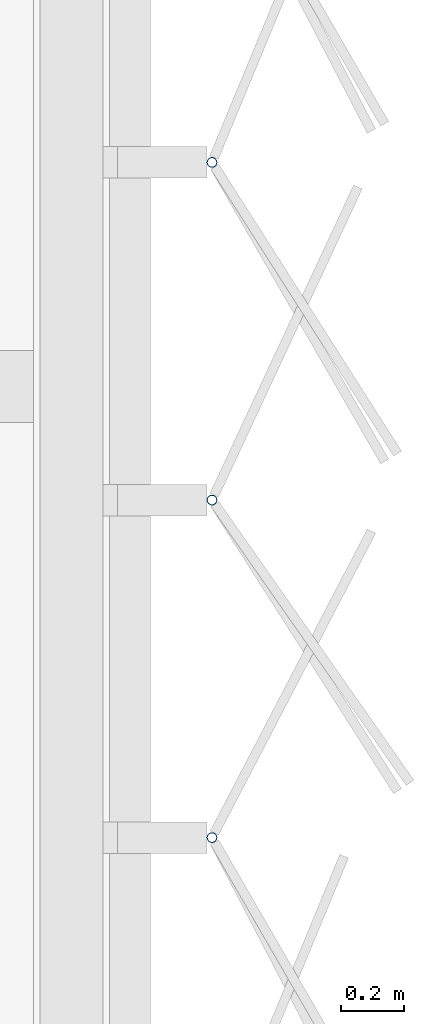
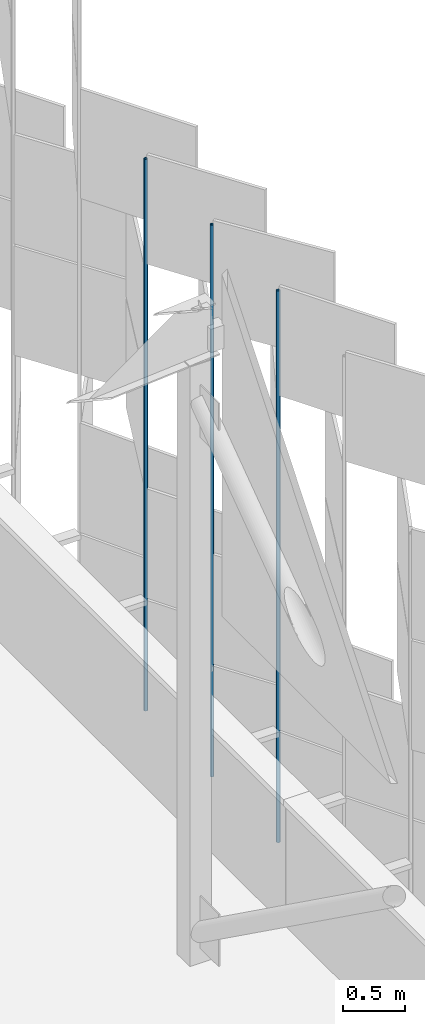
# One storey, part 270 of 483: 3 discrete accessories.
"""IFC4 building model written with IfcOpenShell, lengths in metres."""

from ifc_helpers import new_model, si_unit, direction, frame, origin, origin_2d, place, context, subcontext, project, spatial, hollow_circle, extrude, material, material_profile, profile_set, type_object, element, save


model = new_model("IFC4")

# Units and contexts
model_context = context("Model", 3, precision=1e-05, world=origin(), true_north=direction((0.0, 1.0)))
body_context = subcontext(model_context, "Body", "Model", "MODEL_VIEW")
ifc_project = project(units=[si_unit("LENGTHUNIT", "METRE"), si_unit("AREAUNIT", "SQUARE_METRE"), si_unit("VOLUMEUNIT", "CUBIC_METRE"), si_unit("PLANEANGLEUNIT", "RADIAN"), si_unit("MASSUNIT", "GRAM", prefix="KILO")], contexts=[model_context])

# Site, building, storey
site_placement = place(None, origin())
site = spatial("IfcSite", under=ifc_project, at=site_placement, CompositionType="ELEMENT")
building_placement = place(site_placement, origin())
building = spatial("IfcBuilding", under=site, at=building_placement, Name="Parallax Yard Mobility Hub", CompositionType="ELEMENT")
storey_placement = place(building_placement, frame((0.0, 0.0, 13.199951171875)))
storey = spatial("IfcBuildingStorey", under=building, at=storey_placement, Name="L04", CompositionType="ELEMENT", Elevation=13.199951171875)

# Discrete accessories
ifc_material = material(Name="Steel ASTM A500 Gr C, hot-dip galvanised", Category="steel")
ifc_material_profile = material_profile(ifc_material, hollow_circle(Radius=0.016845703125, WallThickness=0.003173828125, at=origin_2d()), Name="CHS 33.7x3.2")
ifc_profile_set = profile_set([ifc_material_profile], Name="Steel ASTM A500 Gr C, hot-dip galvanised")
discrete_accessory_type = type_object("IfcDiscreteAccessoryType", Name="Hinge post CHS 33.7x3.2", PredefinedType="BRACKET", material=ifc_profile_set)
for number, where, z_axis, x_axis, name in (
    (1, (225.300048828125, 68.56787109375, 0.0), (0.0, 0.0, 1.0), (1.0, 0.0, 0.0), "Hinge post bay 38.2 level L04"),
    (2, (225.300048828125, 69.639404296875, 0.0), (0.0, 0.0, 1.0), (1.0, 0.0, 0.0), "Hinge post bay 38.3 level L04"),
    (3, (225.300048828125, 70.711181640625, 0.0), (0.0, 0.0, 1.0), (1.0, 0.0, 0.0), "Hinge post bay 38.4 level L04"),
):
    element("IfcDiscreteAccessory", number, at=place(storey_placement, frame(where, z_axis=z_axis, x_axis=x_axis)), inside=storey, type_object=discrete_accessory_type, Name=name, PredefinedType="BRACKET", context=body_context, shape_type="SweptSolid", body=[
        extrude(hollow_circle(Radius=0.016845703125, WallThickness=0.003173828125, at=origin_2d()), origin(), (0.0, 0.0, 1.0), 5.449951171875),
    ])

save(model, "model.ifc")
